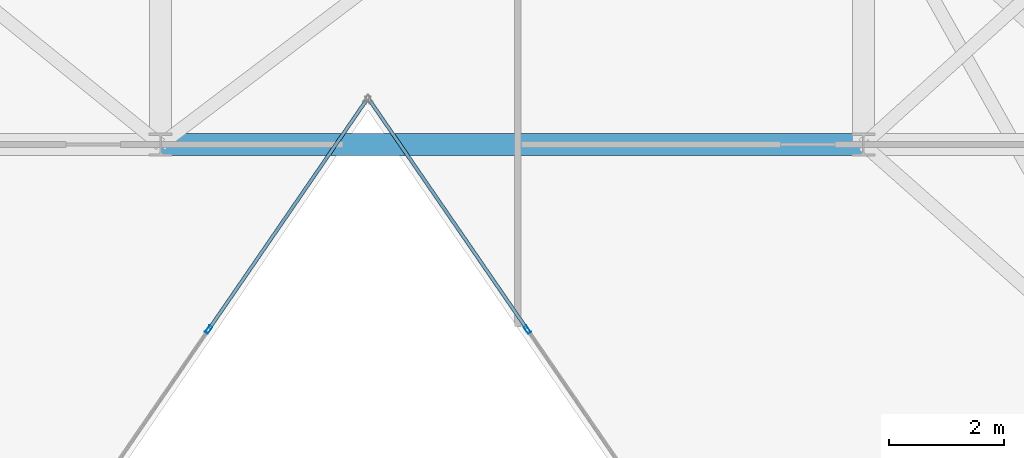
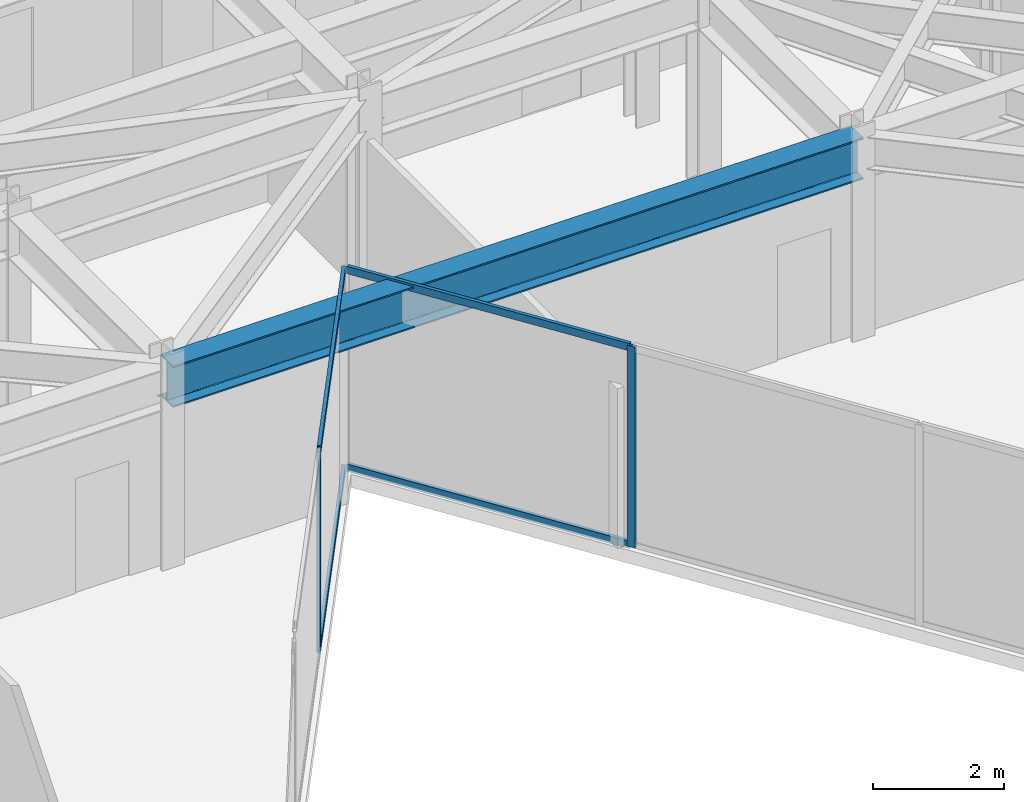
# One storey, part 8 of 26: 6 members, 1 beam, 2 elements without a shape of their own.
"""IFC4 building model written with IfcOpenShell, lengths in metres."""

import ifcopenshell
import ifcopenshell.guid

model = None  # the IFC model being written
_history = None  # IfcOwnerHistory: only IFC2X3 demands one
_inside = {}  # id of a spatial element -> (the spatial element, [elements in it])
_under = {}  # id of a project, library or spatial element -> (it, [spatial elements below it])
_declared = {}  # id of a project -> (the project, [libraries it declares])
_typed = {}  # id of a type object -> (the type object, [elements of that type])
_made_of = {}  # id of a material, layer set ... -> (it, [elements and type objects made of it])


def new_model(schema):
    """Start an empty IFC model of exactly this schema.

    Asked for "IFC4X3", IfcOpenShell would pick the latest addendum, in which some entities
    have other attributes; the version numbers below select the first issue.
    IFC2X3 requires an IfcOwnerHistory on every rooted entity: one is made here for all.
    """
    global model, _history
    if schema == "IFC4X3":
        model = ifcopenshell.file(schema_version=(4, 3, 0, 0))
    else:
        model = ifcopenshell.file(schema=schema)
    _inside.clear()
    _under.clear()
    _declared.clear()
    _typed.clear()
    _made_of.clear()
    _history = None
    if model.schema == "IFC2X3":
        org = make("IfcOrganization", Name="unknown")
        user = make(
            "IfcPersonAndOrganization",
            ThePerson=make("IfcPerson", FamilyName="unknown"),
            TheOrganization=org,
        )
        app = make(
            "IfcApplication",
            ApplicationDeveloper=org,
            Version="unknown",
            ApplicationFullName="unknown",
            ApplicationIdentifier="unknown",
        )
        _history = make(
            "IfcOwnerHistory",
            OwningUser=user,
            OwningApplication=app,
            ChangeAction="ADDED",
            CreationDate=0,
        )
    return model


def make(cls, **values):
    """One entity of the class cls with the attributes given. An attribute that is None is left unset."""
    return model.create_entity(
        cls, **{name: value for name, value in values.items() if value is not None}
    )


def rooted(cls, **values):
    """An entity with a GlobalId (a new one), such as an element, a storey or a relation."""
    return make(cls, GlobalId=ifcopenshell.guid.new(), OwnerHistory=_history, **values)


def si_unit(unit_type, name, prefix=None):
    """IfcSIUnit, for example si_unit("LENGTHUNIT", "METRE", prefix="MILLI")."""
    return make("IfcSIUnit", UnitType=unit_type, Prefix=prefix, Name=name)


def assignment(units):
    """IfcUnitAssignment: the units of a project."""
    return None if units is None else make("IfcUnitAssignment", Units=units)


def point(xyz):
    """IfcCartesianPoint."""
    return None if xyz is None else make("IfcCartesianPoint", Coordinates=xyz)


def direction(xyz):
    """IfcDirection."""
    return None if xyz is None else make("IfcDirection", DirectionRatios=xyz)


def frame(location, z_axis=None, x_axis=None):
    """IfcAxis2Placement3D, a coordinate frame: its origin and axes. An axis left out is left unset."""
    return make(
        "IfcAxis2Placement3D",
        Location=point(location),
        Axis=direction(z_axis),
        RefDirection=direction(x_axis),
    )


def frame_2d(location, x_axis=None):
    """IfcAxis2Placement2D, a coordinate frame in the plane: its origin and x axis."""
    return make(
        "IfcAxis2Placement2D", Location=point(location), RefDirection=direction(x_axis)
    )


def origin():
    """The frame at (0, 0, 0) with its axes left unset."""
    return frame((0.0, 0.0, 0.0))


def origin_2d():
    """The frame at (0, 0) in the plane with its x axis left unset."""
    return frame_2d((0.0, 0.0))


def place(relative_to, where):
    """IfcLocalPlacement: puts the frame where relative to a parent placement (None: the world)."""
    return make(
        "IfcLocalPlacement", PlacementRelTo=relative_to, RelativePlacement=where
    )


def context(
    kind, dimensions, precision=None, world=None, true_north=None, identifier=None
):
    """IfcGeometricRepresentationContext, for example the 3D "Model" context."""
    return make(
        "IfcGeometricRepresentationContext",
        ContextIdentifier=identifier,
        ContextType=kind,
        CoordinateSpaceDimension=dimensions,
        Precision=precision,
        WorldCoordinateSystem=world,
        TrueNorth=true_north,
    )


def subcontext(parent, identifier, kind, view, scale=None):
    """IfcGeometricRepresentationSubContext, for example "Body" below "Model"."""
    return make(
        "IfcGeometricRepresentationSubContext",
        ContextIdentifier=identifier,
        ContextType=kind,
        ParentContext=parent,
        TargetScale=scale,
        TargetView=view,
    )


def project(units=None, contexts=None):
    """IfcProject with its units and contexts."""
    return rooted(
        "IfcProject",
        Name="project",
        RepresentationContexts=contexts,
        UnitsInContext=assignment(units),
    )


def spatial(cls, under=None, at=None, **own):
    """A site, building, storey or space (cls), placed at a placement, below another one or the project."""
    s = rooted(cls, ObjectPlacement=at, **own)
    if under is not None:
        _under.setdefault(under.id(), (under, []))[1].append(s)
    return s


def profile(cls, at=None, kind="AREA", **sizes):
    """A parametric profile (cls). Its sizes go by their IFC names, for example OverallWidth=200.0."""
    return make(cls, ProfileType=kind, Position=at, **sizes)


def hollow_rectangle(**sizes):
    """IfcRectangleHollowProfileDef."""
    return profile("IfcRectangleHollowProfileDef", **sizes)


def i_section(**sizes):
    """IfcIShapeProfileDef."""
    return profile("IfcIShapeProfileDef", **sizes)


def extrude(swept, where, along, depth):
    """IfcExtrudedAreaSolid: the profile swept, set in the frame where, extruded along a direction by depth."""
    return make(
        "IfcExtrudedAreaSolid",
        SweptArea=swept,
        Position=where,
        ExtrudedDirection=direction(along),
        Depth=depth,
    )


def shape(context_of_items, identifier, shape_type, items):
    """IfcShapeRepresentation: the items that make up one representation, for example the "Body"."""
    return make(
        "IfcShapeRepresentation",
        ContextOfItems=context_of_items,
        RepresentationIdentifier=identifier,
        RepresentationType=shape_type,
        Items=items,
    )


def material(Name=None, Category=None):
    """IfcMaterial."""
    return make("IfcMaterial", Name=Name, Category=Category)


def layer(
    of_material, thickness, ventilated=None, Name=None, Category=None, Priority=None
):
    """IfcMaterialLayer: one layer of a wall or slab, of a material (None: an air gap)."""
    return make(
        "IfcMaterialLayer",
        Material=of_material,
        LayerThickness=thickness,
        IsVentilated=ventilated,
        Name=Name,
        Category=Category,
        Priority=Priority,
    )


def layer_set(layers, Name=None):
    """IfcMaterialLayerSet."""
    return make("IfcMaterialLayerSet", MaterialLayers=layers, LayerSetName=Name)


def material_profile(
    of_material, cross_section, Name=None, Category=None, Priority=None
):
    """IfcMaterialProfile: a cross section and its material."""
    return make(
        "IfcMaterialProfile",
        Name=Name,
        Material=of_material,
        Profile=cross_section,
        Priority=Priority,
        Category=Category,
    )


def profile_set(profiles, Name=None, composite=None):
    """IfcMaterialProfileSet."""
    return make(
        "IfcMaterialProfileSet",
        Name=Name,
        MaterialProfiles=profiles,
        CompositeProfile=composite,
    )


def made_of(thing, what):
    """Note that an element or type object is made of a material, layer set ...; save() writes the relation."""
    if what is not None:
        _made_of.setdefault(what.id(), (what, []))[1].append(thing)
    return thing


def type_object(cls, material=None, **own):
    """A type object (cls), such as IfcWallType, which elements share."""
    return made_of(rooted(cls, **own), material)


def element(
    cls,
    number,
    at=None,
    inside=None,
    cuts=None,
    type_object=None,
    material=None,
    context=None,
    identifier="Body",
    shape_type=None,
    held_by="IfcProductDefinitionShape",
    body=None,
    shapes=None,
    **own,
):
    """One element of the class cls, such as IfcWall. Its Tag is "e" and its number.

    at: its placement. inside: the storey or other place that contains it. cuts: it is an
    opening in that element (IfcRelVoidsElement). A single representation is given by context,
    identifier, shape_type and body (its items); several are given by shapes. held_by: the class
    of the entity that holds the representations. save() writes the other relations.
    """
    e = rooted(cls, Tag="e%d" % number, ObjectPlacement=at, **own)
    if body is not None:
        shapes = [shape(context, identifier, shape_type, body)]
    if shapes is not None:
        e.Representation = make(held_by, Representations=shapes)
    if inside is not None:
        _inside.setdefault(inside.id(), (inside, []))[1].append(e)
    if cuts is not None:
        rooted(
            "IfcRelVoidsElement", RelatingBuildingElement=cuts, RelatedOpeningElement=e
        )
    if type_object is not None:
        _typed.setdefault(type_object.id(), (type_object, []))[1].append(e)
    return made_of(e, material)


def aggregate(whole, parts):
    """IfcRelAggregates: a whole, such as a stair, and the parts it consists of."""
    return rooted("IfcRelAggregates", RelatingObject=whole, RelatedObjects=parts)


def save(model, path):
    """Write the relations noted so far, then the file.

    IfcRelAggregates (storeys below a building ...), IfcRelContainedInSpatialStructure (elements
    in a storey), IfcRelDefinesByType, IfcRelAssociatesMaterial and IfcRelDeclares: one each for
    every whole, place, type object, material and project.
    """
    for whole, parts in _under.values():
        aggregate(whole, parts)
    for where, things in _inside.values():
        rooted(
            "IfcRelContainedInSpatialStructure",
            RelatedElements=things,
            RelatingStructure=where,
        )
    for kind, things in _typed.values():
        rooted("IfcRelDefinesByType", RelatedObjects=things, RelatingType=kind)
    for what, things in _made_of.values():
        rooted("IfcRelAssociatesMaterial", RelatedObjects=things, RelatingMaterial=what)
    for by, libraries in _declared.values():
        rooted("IfcRelDeclares", RelatingContext=by, RelatedDefinitions=libraries)
    model.write(path)


model = new_model("IFC4")

# Units and contexts
model_context = context("Model", 3, precision=1e-05, world=origin(), true_north=direction((0.0, 1.0)))
body_context = subcontext(model_context, "Body", "Model", "MODEL_VIEW")
ifc_project = project(units=[si_unit("LENGTHUNIT", "METRE"), si_unit("AREAUNIT", "SQUARE_METRE"), si_unit("VOLUMEUNIT", "CUBIC_METRE"), si_unit("PLANEANGLEUNIT", "RADIAN"), si_unit("MASSUNIT", "GRAM", prefix="KILO")], contexts=[model_context])

# Site, building, storey
site_placement = place(None, origin())
site = spatial("IfcSite", under=ifc_project, at=site_placement, CompositionType="ELEMENT")
building_placement = place(site_placement, origin())
building = spatial("IfcBuilding", under=site, at=building_placement, Name="Kravanh Interchange Tower", CompositionType="ELEMENT")
storey_placement = place(building_placement, frame((0.0, 0.0, 204.5)))
storey = spatial("IfcBuildingStorey", under=building, at=storey_placement, Name="L49", CompositionType="ELEMENT", Elevation=204.5)

# Curtain wall, member
ifc_material_1 = material(Name="Anodised Bronze Aluminium", Category="aluminium")
ifc_layer = layer(ifc_material_1, 0.179931640625)
ifc_layer_set = layer_set([ifc_layer], Name="Unitised Curtain Wall System CW-Z3 Upper Office")
curtain_wall_type = type_object("IfcCurtainWallType", Name="Unitised Curtain Wall System CW-Z3 Upper Office", PredefinedType="NOTDEFINED", material=ifc_layer_set)
curtain_wall_1_placement = place(storey_placement, origin())
curtain_wall_1 = element("IfcCurtainWall", 1, at=curtain_wall_1_placement, inside=storey, type_object=curtain_wall_type, Name="L49 Unitised Curtain Wall CW-L49-04", PredefinedType="NOTDEFINED")
ifc_material_2 = material(Name="Anodised Bronze Aluminium", Category="aluminium")
ifc_material_profile_1 = material_profile(ifc_material_2, hollow_rectangle(XDim=0.06005859375, YDim=0.139892578125, WallThickness=0.00390625, at=origin_2d()), Name="ALU60X140X4")
ifc_profile_set_1 = profile_set([ifc_material_profile_1], Name="Anodised Bronze Aluminium")
member_type_1 = type_object("IfcMemberType", Name="Curtain Wall Mullion ALU60X140X4 Bronze", PredefinedType="MULLION", material=ifc_profile_set_1)
member_1_placement = place(storey_placement, frame((44.9658203125, 23.5888671875, 0.0), z_axis=(0.0, 0.0, 1.0), x_axis=(-0.824042223035, -0.566528388217, 0.0)))
member_1 = element("IfcMember", 2, at=member_1_placement, type_object=member_type_1, Name="CW-Z3 mullion 4", PredefinedType="MULLION", context=body_context, shape_type="SweptSolid", body=[
    extrude(hollow_rectangle(XDim=0.06005859375, YDim=0.139892578125, WallThickness=0.00390625, at=origin_2d()), origin(), (0.0, 0.0, 1.0), 3.7548828125),
])

curtain_wall_2_placement = place(storey_placement, origin())
curtain_wall_2 = element("IfcCurtainWall", 3, at=curtain_wall_2_placement, inside=storey, type_object=curtain_wall_type, Name="L49 Unitised Curtain Wall CW-L49-05", PredefinedType="NOTDEFINED")
member_2_placement = place(storey_placement, frame((39.434326171875, 23.5888671875, 0.0), z_axis=(0.0, 0.0, 1.0), x_axis=(0.824042223035, -0.566528388217, 0.0)))
member_2 = element("IfcMember", 4, at=member_2_placement, type_object=member_type_1, Name="CW-Z3 mullion 2", PredefinedType="MULLION", context=body_context, shape_type="SweptSolid", body=[
    extrude(hollow_rectangle(XDim=0.06005859375, YDim=0.139892578125, WallThickness=0.00390625, at=origin_2d()), origin(), (0.0, 0.0, 1.0), 3.7548828125),
])

# Member
ifc_material_3 = material(Name="Anodised Bronze Aluminium", Category="aluminium")
ifc_material_profile_2 = material_profile(ifc_material_3, hollow_rectangle(XDim=0.06005859375, YDim=0.139892578125, WallThickness=0.00390625, at=origin_2d()), Name="ALU60X140X4")
ifc_profile_set_2 = profile_set([ifc_material_profile_2], Name="Anodised Bronze Aluminium")
member_type_2 = type_object("IfcMemberType", Name="Curtain Wall Transom ALU60X140X4 Bronze", PredefinedType="USERDEFINED", material=ifc_profile_set_2)
member_3_placement = place(storey_placement, frame((44.94873046875, 23.613525390625, 0.030029296875), z_axis=(-0.566541796314, 0.824033004818, 0.0), x_axis=(-0.824033004818, -0.566541796314, 0.0)))
member_3 = element("IfcMember", 5, at=member_3_placement, type_object=member_type_2, Name="CW-Z3 transom 4.1", ObjectType="TRANSOM", PredefinedType="USERDEFINED", context=body_context, shape_type="SweptSolid", body=[
    extrude(hollow_rectangle(XDim=0.06005859375, YDim=0.139892578125, WallThickness=0.00390625, at=origin_2d()), origin(), (0.0, 0.0, 1.0), 4.7919921875),
])

member_4_placement = place(storey_placement, frame((44.94873046875, 23.613525390625, 3.72509765625), z_axis=(-0.566541796314, 0.824033004818, 0.0), x_axis=(-0.824033004818, -0.566541796314, 0.0)))
member_4 = element("IfcMember", 6, at=member_4_placement, type_object=member_type_2, Name="CW-Z3 transom 4.2", ObjectType="TRANSOM", PredefinedType="USERDEFINED", context=body_context, shape_type="SweptSolid", body=[
    extrude(hollow_rectangle(XDim=0.06005859375, YDim=0.139892578125, WallThickness=0.00390625, at=origin_2d()), origin(), (0.0, 0.0, 1.0), 4.7919921875),
])

aggregate(curtain_wall_1, [member_1, member_3, member_4])

member_5_placement = place(storey_placement, frame((42.166015625, 27.562255859375, 0.030029296875), z_axis=(-0.566541796314, -0.824033004818, 0.0), x_axis=(0.824033004818, -0.566541796314, 0.0)))
member_5 = element("IfcMember", 7, at=member_5_placement, type_object=member_type_2, Name="CW-Z3 transom 1.1", ObjectType="TRANSOM", PredefinedType="USERDEFINED", context=body_context, shape_type="SweptSolid", body=[
    extrude(hollow_rectangle(XDim=0.06005859375, YDim=0.139892578125, WallThickness=0.00390625, at=origin_2d()), origin(), (0.0, 0.0, 1.0), 4.7919921875),
])

member_6_placement = place(storey_placement, frame((42.166015625, 27.562255859375, 3.72509765625), z_axis=(-0.566541796314, -0.824033004818, 0.0), x_axis=(0.824033004818, -0.566541796314, 0.0)))
member_6 = element("IfcMember", 8, at=member_6_placement, type_object=member_type_2, Name="CW-Z3 transom 1.2", ObjectType="TRANSOM", PredefinedType="USERDEFINED", context=body_context, shape_type="SweptSolid", body=[
    extrude(hollow_rectangle(XDim=0.06005859375, YDim=0.139892578125, WallThickness=0.00390625, at=origin_2d()), origin(), (0.0, 0.0, 1.0), 4.7919921875),
])

aggregate(curtain_wall_2, [member_2, member_5, member_6])

# Beam
ifc_material_4 = material(Name="Structural Steel S355", Category="steel")
ifc_material_profile_3 = material_profile(ifc_material_4, i_section(OverallWidth=0.381103515625, OverallDepth=0.77294921875, WebThickness=0.0166015625, FlangeThickness=0.027099609375, FilletRadius=0.02490234375, at=origin_2d()), Name="W30X173")
ifc_profile_set_3 = profile_set([ifc_material_profile_3], Name="Structural Steel S355")
beam_type = type_object("IfcBeamType", Name="Floor Beam W30X173 Structural Steel S355", PredefinedType="BEAM", material=ifc_profile_set_3)
beam_placement = place(storey_placement, frame((38.60009765625, 26.800048828125, 3.368408203125), z_axis=(1.0, 0.0, 0.0), x_axis=(0.0, 1.0, 0.0)))
element("IfcBeam", 9, at=beam_placement, inside=storey, type_object=beam_type, Name="L49 Primary Floor Girder 48", PredefinedType="BEAM", context=body_context, shape_type="SweptSolid", body=[
    extrude(i_section(OverallWidth=0.381103515625, OverallDepth=0.77294921875, WebThickness=0.0166015625, FlangeThickness=0.027099609375, FilletRadius=0.02490234375, at=origin_2d()), origin(), (0.0, 0.0, 1.0), 12.199951171875),
])

save(model, "model.ifc")
